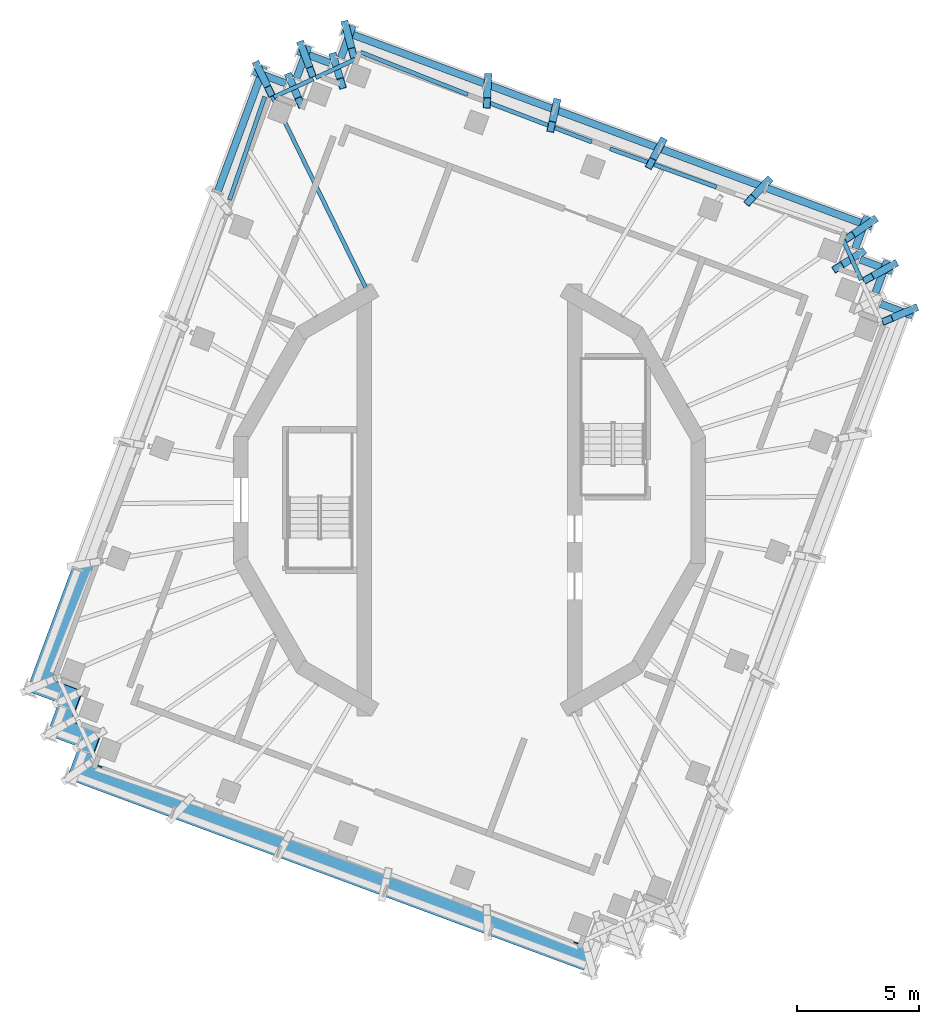
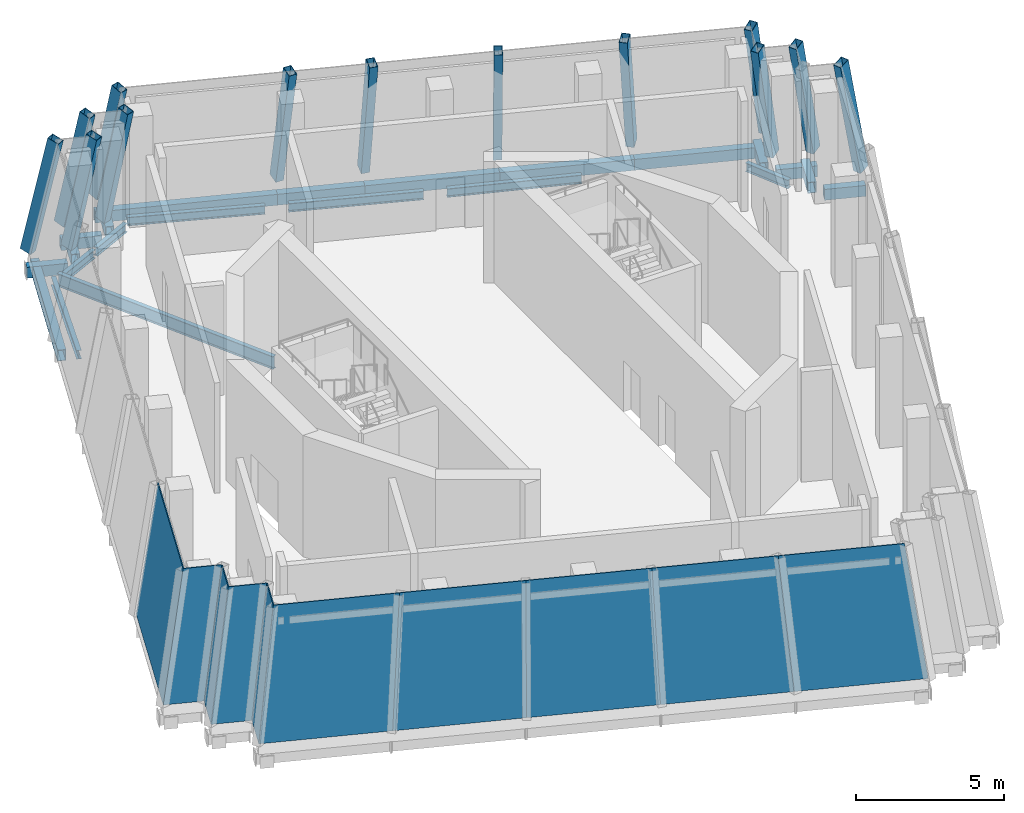
# One storey, part 3 of 13: 27 members, 10 plates, 8 beams, 24 elements without a shape of their own.
"""IFC4 building model written with IfcOpenShell, lengths in metres."""

from ifc_helpers import new_model, si_unit, direction, frame, origin, origin_2d, place, context, subcontext, project, spatial, polyline, hollow_rectangle, i_section, outline, extrude, material, layer, layer_set, material_profile, profile_set, type_object, element, aggregate, save


model = new_model("IFC4")

# Units and contexts
model_context = context("Model", 3, precision=1e-05, world=origin(), true_north=direction((0.0, 1.0)))
body_context = subcontext(model_context, "Body", "Model", "MODEL_VIEW")
ifc_project = project(units=[si_unit("LENGTHUNIT", "METRE"), si_unit("AREAUNIT", "SQUARE_METRE"), si_unit("VOLUMEUNIT", "CUBIC_METRE"), si_unit("PLANEANGLEUNIT", "RADIAN"), si_unit("MASSUNIT", "GRAM", prefix="KILO")], contexts=[model_context])

# Site, building, storey
site_placement = place(None, origin())
site = spatial("IfcSite", under=ifc_project, at=site_placement, CompositionType="ELEMENT")
building_placement = place(site_placement, origin())
building = spatial("IfcBuilding", under=site, at=building_placement, Name="Cantera Rosa Tower", CompositionType="ELEMENT")
storey_placement = place(building_placement, frame((0.0, 0.0, 350.699951171875)))
storey = spatial("IfcBuildingStorey", under=building, at=storey_placement, Name="L79", CompositionType="ELEMENT", Elevation=350.699951171875)

# Curtain wall, member
ifc_material_1 = material(Name="Aluminium frame with clear glass", Category="aluminium")
curtain_wall_type = type_object("IfcCurtainWallType", Name="CW4 CROWN GLAZING", PredefinedType="NOTDEFINED", material=ifc_material_1)
curtain_wall_1_placement = place(storey_placement, origin())
curtain_wall_1 = element("IfcCurtainWall", 1, at=curtain_wall_1_placement, inside=storey, type_object=curtain_wall_type, Name="CW4 L79-01", PredefinedType="NOTDEFINED")
ifc_material_2 = material(Name="Steel S355J2 (EN 10025-2)", Category="steel")
ifc_material_profile_1 = material_profile(ifc_material_2, hollow_rectangle(XDim=0.300048828125, YDim=0.449951171875, WallThickness=0.01611328125, at=origin_2d()), Name="CROWN FRAME MULLION RHS 300x450x16")
ifc_profile_set_1 = profile_set([ifc_material_profile_1], Name="Steel S355J2 (EN 10025-2)")
member_type_1 = type_object("IfcMemberType", Name="CROWN FRAME MULLION RHS 300x450x16", PredefinedType="MULLION", material=ifc_profile_set_1)
member_1_placement = place(storey_placement, frame((16.468505859375, 11.403076171875, 0.0), z_axis=(-0.183439123249, -0.127036590543, 0.974788075802), x_axis=(0.569331987511, -0.822107710703, 0.0)))
member_1 = element("IfcMember", 2, at=member_1_placement, type_object=member_type_1, Name="CROWN FRAME rib L79-01", PredefinedType="MULLION", context=body_context, shape_type="SweptSolid", body=[
    extrude(hollow_rectangle(XDim=0.300048828125, YDim=0.449951171875, WallThickness=0.01611328125, at=origin_2d()), origin(), (0.0, 0.0, 1.0), 5.12939453125),
])

curtain_wall_2_placement = place(storey_placement, origin())
curtain_wall_2 = element("IfcCurtainWall", 3, at=curtain_wall_2_placement, inside=storey, type_object=curtain_wall_type, Name="CW4 L79-02", PredefinedType="NOTDEFINED")
member_2_placement = place(storey_placement, frame((12.16259765625, 12.998779296875, 0.0), z_axis=(-0.136175371792, -0.145601425286, 0.979926779444), x_axis=(0.730352521861, -0.683070416437, 0.0)))
member_2 = element("IfcMember", 4, at=member_2_placement, type_object=member_type_1, Name="CROWN FRAME rib L79-02", PredefinedType="MULLION", context=body_context, shape_type="SweptSolid", body=[
    extrude(hollow_rectangle(XDim=0.300048828125, YDim=0.449951171875, WallThickness=0.01611328125, at=origin_2d()), origin(), (0.0, 0.0, 1.0), 5.1025390625),
])

curtain_wall_3_placement = place(storey_placement, origin())
curtain_wall_3 = element("IfcCurtainWall", 5, at=curtain_wall_3_placement, inside=storey, type_object=curtain_wall_type, Name="CW4 L79-03", PredefinedType="NOTDEFINED")
member_3_placement = place(storey_placement, frame((7.85693359375, 14.59423828125, 0.0), z_axis=(-0.088225909916, -0.163882386228, 0.982526718366), x_axis=(0.880512480257, -0.474022965806, 0.0)))
member_3 = element("IfcMember", 6, at=member_3_placement, type_object=member_type_1, Name="CROWN FRAME rib L79-03", PredefinedType="MULLION", context=body_context, shape_type="SweptSolid", body=[
    extrude(hollow_rectangle(XDim=0.300048828125, YDim=0.449951171875, WallThickness=0.01611328125, at=origin_2d()), origin(), (0.0, 0.0, 1.0), 5.0888671875),
])

curtain_wall_4_placement = place(storey_placement, origin())
curtain_wall_4 = element("IfcCurtainWall", 7, at=curtain_wall_4_placement, inside=storey, type_object=curtain_wall_type, Name="CW4 L79-04", PredefinedType="NOTDEFINED")
member_4_placement = place(storey_placement, frame((3.551025390625, 16.18994140625, 0.0), z_axis=(-0.039867351696, -0.18177785268, 0.98253112243), x_axis=(0.976783829743, -0.214227332414, 0.0)))
member_4 = element("IfcMember", 8, at=member_4_placement, type_object=member_type_1, Name="CROWN FRAME rib L79-04", PredefinedType="MULLION", context=body_context, shape_type="SweptSolid", body=[
    extrude(hollow_rectangle(XDim=0.300048828125, YDim=0.449951171875, WallThickness=0.01611328125, at=origin_2d()), origin(), (0.0, 0.0, 1.0), 5.0888671875),
])

curtain_wall_5_placement = place(storey_placement, origin())
curtain_wall_5 = element("IfcCurtainWall", 9, at=curtain_wall_5_placement, inside=storey, type_object=curtain_wall_type, Name="CW4 L79-05", PredefinedType="NOTDEFINED")
member_5_placement = place(storey_placement, frame((0.7587890625, 17.224609375, 0.0), z_axis=(-0.008479576424, -0.193113969293, 0.981139690181), x_axis=(0.999037360928, -0.043867430634, 0.0)))
member_5 = element("IfcMember", 10, at=member_5_placement, type_object=member_type_1, Name="CROWN FRAME rib L79-05", PredefinedType="MULLION", context=body_context, shape_type="SweptSolid", body=[
    extrude(hollow_rectangle(XDim=0.300048828125, YDim=0.449951171875, WallThickness=0.01611328125, at=origin_2d()), origin(), (0.0, 0.0, 1.0), 5.09619140625),
])

curtain_wall_6_placement = place(storey_placement, origin())
curtain_wall_6 = element("IfcCurtainWall", 11, at=curtain_wall_6_placement, inside=storey, type_object=curtain_wall_type, Name="CW4 L79-06", PredefinedType="NOTDEFINED")
member_6_placement = place(storey_placement, frame((-5.060791015625, 19.381103515625, 0.0), z_axis=(0.056402363783, -0.215899681115, 0.974785156357), x_axis=(0.967528872957, 0.252760519059, 0.0)))
member_6 = element("IfcMember", 12, at=member_6_placement, type_object=member_type_1, Name="CROWN FRAME rib L79-06", PredefinedType="MULLION", context=body_context, shape_type="SweptSolid", body=[
    extrude(hollow_rectangle(XDim=0.300048828125, YDim=0.449951171875, WallThickness=0.01611328125, at=origin_2d()), origin(), (0.0, 0.0, 1.0), 5.12939453125),
])

curtain_wall_7_placement = place(storey_placement, origin())
curtain_wall_7 = element("IfcCurtainWall", 13, at=curtain_wall_7_placement, inside=storey, type_object=curtain_wall_type, Name="CW4 L79-07", PredefinedType="NOTDEFINED")
member_7_placement = place(storey_placement, frame((-5.547119140625, 18.068359375, 0.0), z_axis=(0.061950185044, -0.201839239252, 0.977457465096), x_axis=(0.955984057703, 0.293418611232, 0.0)))
member_7 = element("IfcMember", 14, at=member_7_placement, type_object=member_type_1, Name="CROWN FRAME rib L79-07", PredefinedType="MULLION", context=body_context, shape_type="SweptSolid", body=[
    extrude(hollow_rectangle(XDim=0.300048828125, YDim=0.449951171875, WallThickness=0.01611328125, at=origin_2d()), origin(), (0.0, 0.0, 1.0), 5.115234375),
])

curtain_wall_8_placement = place(storey_placement, origin())
curtain_wall_8 = element("IfcCurtainWall", 15, at=curtain_wall_8_placement, inside=storey, type_object=curtain_wall_type, Name="CW4 L79-08", PredefinedType="NOTDEFINED")
member_8_placement = place(storey_placement, frame((-6.85986328125, 18.554931640625, 0.0), z_axis=(0.076440005871, -0.206840464485, 0.975384000153), x_axis=(0.937996025489, 0.34664600988, 0.0)))
member_8 = element("IfcMember", 16, at=member_8_placement, type_object=member_type_1, Name="CROWN FRAME rib L79-08", PredefinedType="MULLION", context=body_context, shape_type="SweptSolid", body=[
    extrude(hollow_rectangle(XDim=0.300048828125, YDim=0.449951171875, WallThickness=0.01611328125, at=origin_2d()), origin(), (0.0, 0.0, 1.0), 5.126220703125),
])

curtain_wall_9_placement = place(storey_placement, origin())
curtain_wall_9 = element("IfcCurtainWall", 17, at=curtain_wall_9_placement, inside=storey, type_object=curtain_wall_type, Name="CW4 L79-09", PredefinedType="NOTDEFINED")
member_9_placement = place(storey_placement, frame((-7.346435546875, 17.2421875, 0.0), z_axis=(0.082073811804, -0.192699188158, 0.977819468153), x_axis=(0.920027022775, 0.391854918769, 0.0)))
member_9 = element("IfcMember", 18, at=member_9_placement, type_object=member_type_1, Name="CROWN FRAME rib L79-09", PredefinedType="MULLION", context=body_context, shape_type="SweptSolid", body=[
    extrude(hollow_rectangle(XDim=0.300048828125, YDim=0.449951171875, WallThickness=0.01611328125, at=origin_2d()), origin(), (0.0, 0.0, 1.0), 5.113525390625),
])

curtain_wall_10_placement = place(storey_placement, origin())
curtain_wall_10 = element("IfcCurtainWall", 19, at=curtain_wall_10_placement, inside=storey, type_object=curtain_wall_type, Name="CW4 L79-10", PredefinedType="NOTDEFINED")
member_10_placement = place(storey_placement, frame((-8.6591796875, 17.728759765625, 0.0), z_axis=(0.096549906813, -0.197672478181, 0.975501771841), x_axis=(0.898545674073, 0.438880019601, 0.0)))
member_10 = element("IfcMember", 20, at=member_10_placement, type_object=member_type_1, Name="CROWN FRAME rib L79-10", PredefinedType="MULLION", context=body_context, shape_type="SweptSolid", body=[
    extrude(hollow_rectangle(XDim=0.300048828125, YDim=0.449951171875, WallThickness=0.01611328125, at=origin_2d()), origin(), (0.0, 0.0, 1.0), 5.12548828125),
])

curtain_wall_11_placement = place(storey_placement, origin())
curtain_wall_11 = element("IfcCurtainWall", 21, at=curtain_wall_11_placement, inside=storey, type_object=curtain_wall_type, Name="CW4 L79-33", PredefinedType="NOTDEFINED")
member_11_placement = place(storey_placement, frame((18.12109375, 7.8046875, 0.0), z_axis=(-0.202008637427, -0.087024234987, 0.975509760551), x_axis=(0.395643566928, -0.918404141949, 0.0)))
member_11 = element("IfcMember", 22, at=member_11_placement, type_object=member_type_1, Name="CROWN FRAME rib L79-33", PredefinedType="MULLION", context=body_context, shape_type="SweptSolid", body=[
    extrude(hollow_rectangle(XDim=0.300048828125, YDim=0.449951171875, WallThickness=0.01611328125, at=origin_2d()), origin(), (0.0, 0.0, 1.0), 5.12548828125),
])

curtain_wall_12_placement = place(storey_placement, origin())
curtain_wall_12 = element("IfcCurtainWall", 23, at=curtain_wall_12_placement, inside=storey, type_object=curtain_wall_type, Name="CW4 L79-35", PredefinedType="NOTDEFINED")
member_12_placement = place(storey_placement, frame((17.294921875, 9.603759765625, 0.0), z_axis=(-0.192790277185, -0.107063375275, 0.975381639512), x_axis=(0.485496229045, -0.874238761199, 0.0)))
member_12 = element("IfcMember", 24, at=member_12_placement, type_object=member_type_1, Name="CROWN FRAME rib L79-35", PredefinedType="MULLION", context=body_context, shape_type="SweptSolid", body=[
    extrude(hollow_rectangle(XDim=0.300048828125, YDim=0.449951171875, WallThickness=0.01611328125, at=origin_2d()), origin(), (0.0, 0.0, 1.0), 5.126220703125),
])

curtain_wall_13_placement = place(storey_placement, origin())
curtain_wall_13 = element("IfcCurtainWall", 25, at=curtain_wall_13_placement, inside=storey, type_object=curtain_wall_type, Name="CW4 L79-36", PredefinedType="NOTDEFINED")
member_13_placement = place(storey_placement, frame((15.982177734375, 10.09033203125, 0.0), z_axis=(-0.178547268213, -0.11273152834, 0.977452032343), x_axis=(0.533873930699, -0.84556408753, 0.0)))
member_13 = element("IfcMember", 26, at=member_13_placement, type_object=member_type_1, Name="CROWN FRAME rib L79-36", PredefinedType="MULLION", context=body_context, shape_type="SweptSolid", body=[
    extrude(hollow_rectangle(XDim=0.300048828125, YDim=0.449951171875, WallThickness=0.01611328125, at=origin_2d()), origin(), (0.0, 0.0, 1.0), 5.115234375),
])

# Member
ifc_material_3 = material(Name="Steel S355J2 (EN 10025-2)", Category="steel")
ifc_material_profile_2 = material_profile(ifc_material_3, hollow_rectangle(XDim=0.300048828125, YDim=0.449951171875, WallThickness=0.01611328125, at=origin_2d()), Name="CROWN FRAME PURLIN RHS 300x450x16")
ifc_profile_set_2 = profile_set([ifc_material_profile_2], Name="Steel S355J2 (EN 10025-2)")
member_type_2 = type_object("IfcMemberType", Name="CROWN FRAME PURLIN RHS 300x450x16", PredefinedType="PURLIN", material=ifc_profile_set_2)
member_14_placement = place(storey_placement, frame((16.4638671875, 11.16015625, -0.675048828125), z_axis=(-0.937693339499, 0.347463956489, 0.0), x_axis=(-0.347463956489, -0.937693339499, 0.0)))
member_14 = element("IfcMember", 27, at=member_14_placement, type_object=member_type_2, Name="CROWN FRAME purlin L79-01", PredefinedType="PURLIN", context=body_context, shape_type="SweptSolid", body=[
    extrude(hollow_rectangle(XDim=0.300048828125, YDim=0.449951171875, WallThickness=0.01611328125, at=origin_2d()), origin(), (0.0, 0.0, 1.0), 4.6240234375),
])

aggregate(curtain_wall_1, [member_1, member_14])

member_15_placement = place(storey_placement, frame((12.1279296875, 12.766845703125, -0.675048828125), z_axis=(-0.937686964654, 0.347481159659, 0.0), x_axis=(-0.347481159659, -0.937686964654, 0.0)))
member_15 = element("IfcMember", 28, at=member_15_placement, type_object=member_type_2, Name="CROWN FRAME purlin L79-02", PredefinedType="PURLIN", context=body_context, shape_type="SweptSolid", body=[
    extrude(hollow_rectangle(XDim=0.300048828125, YDim=0.449951171875, WallThickness=0.01611328125, at=origin_2d()), origin(), (0.0, 0.0, 1.0), 4.623779296875),
])

aggregate(curtain_wall_2, [member_2, member_15])

member_16_placement = place(storey_placement, frame((7.792236328125, 14.37353515625, -0.675048828125), z_axis=(-0.937693339499, 0.347463956489, 0.0), x_axis=(-0.347463956489, -0.937693339499, 0.0)))
member_16 = element("IfcMember", 29, at=member_16_placement, type_object=member_type_2, Name="CROWN FRAME purlin L79-03", PredefinedType="PURLIN", context=body_context, shape_type="SweptSolid", body=[
    extrude(hollow_rectangle(XDim=0.300048828125, YDim=0.449951171875, WallThickness=0.01611328125, at=origin_2d()), origin(), (0.0, 0.0, 1.0), 4.6240234375),
])

aggregate(curtain_wall_3, [member_3, member_16])

member_17_placement = place(storey_placement, frame((3.456298828125, 15.980224609375, -0.675048828125), z_axis=(-0.937683924768, 0.34748936276, 0.0), x_axis=(-0.34748936276, -0.937683924768, 0.0)))
member_17 = element("IfcMember", 30, at=member_17_placement, type_object=member_type_2, Name="CROWN FRAME purlin L79-04", PredefinedType="PURLIN", context=body_context, shape_type="SweptSolid", body=[
    extrude(hollow_rectangle(XDim=0.300048828125, YDim=0.449951171875, WallThickness=0.01611328125, at=origin_2d()), origin(), (0.0, 0.0, 1.0), 2.99853515625),
])

aggregate(curtain_wall_4, [member_4, member_17])

member_18_placement = place(storey_placement, frame((0.64453125, 17.022216796875, -0.675048828125), z_axis=(-0.937685128351, 0.347486114931, 0.0), x_axis=(-0.347486114931, -0.937685128351, 0.0)))
member_18 = element("IfcMember", 31, at=member_18_placement, type_object=member_type_2, Name="CROWN FRAME purlin L79-05", PredefinedType="PURLIN", context=body_context, shape_type="SweptSolid", body=[
    extrude(hollow_rectangle(XDim=0.300048828125, YDim=0.449951171875, WallThickness=0.01611328125, at=origin_2d()), origin(), (0.0, 0.0, 1.0), 6.24951171875),
])

aggregate(curtain_wall_5, [member_5, member_18])

member_19_placement = place(storey_placement, frame((-4.771728515625, 19.400146484375, -0.675048828125), z_axis=(-0.34747787662, -0.937688181252, 0.0), x_axis=(0.937688181252, -0.34747787662, 0.0)))
member_19 = element("IfcMember", 32, at=member_19_placement, type_object=member_type_2, Name="CROWN FRAME purlin L79-06", PredefinedType="PURLIN", context=body_context, shape_type="SweptSolid", body=[
    extrude(hollow_rectangle(XDim=0.300048828125, YDim=0.449951171875, WallThickness=0.01611328125, at=origin_2d()), origin(), (0.0, 0.0, 1.0), 1.41015625),
])

aggregate(curtain_wall_6, [member_6, member_19])

member_20_placement = place(storey_placement, frame((-5.7060546875, 17.8720703125, -0.675048828125), z_axis=(-0.937667271934, 0.347534296357, 0.0), x_axis=(-0.347534296357, -0.937667271934, 0.0)))
member_20 = element("IfcMember", 33, at=member_20_placement, type_object=member_type_2, Name="CROWN FRAME purlin L79-07", PredefinedType="PURLIN", context=body_context, shape_type="SweptSolid", body=[
    extrude(hollow_rectangle(XDim=0.300048828125, YDim=0.449951171875, WallThickness=0.01611328125, at=origin_2d()), origin(), (0.0, 0.0, 1.0), 1.409912109375),
])

aggregate(curtain_wall_7, [member_7, member_20])

member_21_placement = place(storey_placement, frame((-6.584228515625, 18.56689453125, -0.675048828125), z_axis=(-0.347534296357, -0.937667271934, 0.0), x_axis=(0.937667271934, -0.347534296357, 0.0)))
member_21 = element("IfcMember", 34, at=member_21_placement, type_object=member_type_2, Name="CROWN FRAME purlin L79-08", PredefinedType="PURLIN", context=body_context, shape_type="SweptSolid", body=[
    extrude(hollow_rectangle(XDim=0.300048828125, YDim=0.449951171875, WallThickness=0.01611328125, at=origin_2d()), origin(), (0.0, 0.0, 1.0), 1.409912109375),
])

aggregate(curtain_wall_8, [member_8, member_21])

member_22_placement = place(storey_placement, frame((-7.518798828125, 17.040283203125, -0.675048828125), z_axis=(-0.937667271934, 0.347534296357, 0.0), x_axis=(-0.347534296357, -0.937667271934, 0.0)))
member_22 = element("IfcMember", 35, at=member_22_placement, type_object=member_type_2, Name="CROWN FRAME purlin L79-09", PredefinedType="PURLIN", context=body_context, shape_type="SweptSolid", body=[
    extrude(hollow_rectangle(XDim=0.300048828125, YDim=0.449951171875, WallThickness=0.01611328125, at=origin_2d()), origin(), (0.0, 0.0, 1.0), 1.409912109375),
])

aggregate(curtain_wall_9, [member_9, member_22])

member_23_placement = place(storey_placement, frame((-8.396484375, 17.73388671875, -0.675048828125), z_axis=(-0.347491231941, -0.93768323208, 0.0), x_axis=(0.93768323208, -0.347491231941, 0.0)))
member_23 = element("IfcMember", 36, at=member_23_placement, type_object=member_type_2, Name="CROWN FRAME purlin L79-10", PredefinedType="PURLIN", context=body_context, shape_type="SweptSolid", body=[
    extrude(hollow_rectangle(XDim=0.300048828125, YDim=0.449951171875, WallThickness=0.01611328125, at=origin_2d()), origin(), (0.0, 0.0, 1.0), 5.484375),
])

aggregate(curtain_wall_10, [member_10, member_23])

member_24_placement = place(storey_placement, frame((18.129638671875, 7.53564453125, -0.675048828125), z_axis=(-0.937667271934, 0.347534296357, 0.0), x_axis=(-0.347534296357, -0.937667271934, 0.0)))
member_24 = element("IfcMember", 37, at=member_24_placement, type_object=member_type_2, Name="CROWN FRAME purlin L79-33", PredefinedType="PURLIN", context=body_context, shape_type="SweptSolid", body=[
    extrude(hollow_rectangle(XDim=0.300048828125, YDim=0.449951171875, WallThickness=0.01611328125, at=origin_2d()), origin(), (0.0, 0.0, 1.0), 1.409912109375),
])

aggregate(curtain_wall_11, [member_11, member_24])

# Curtain wall, member
curtain_wall_14_placement = place(storey_placement, origin())
curtain_wall_14 = element("IfcCurtainWall", 38, at=curtain_wall_14_placement, inside=storey, type_object=curtain_wall_type, Name="CW4 L79-34", PredefinedType="NOTDEFINED")
member_25_placement = place(storey_placement, frame((16.603515625, 8.470458984375, -0.675048828125), z_axis=(0.34747787662, 0.937688181252, 0.0), x_axis=(-0.937688181252, 0.34747787662, 0.0)))
member_25 = element("IfcMember", 39, at=member_25_placement, type_object=member_type_2, Name="CROWN FRAME purlin L79-34", PredefinedType="PURLIN", context=body_context, shape_type="SweptSolid", body=[
    extrude(hollow_rectangle(XDim=0.300048828125, YDim=0.449951171875, WallThickness=0.01611328125, at=origin_2d()), origin(), (0.0, 0.0, 1.0), 1.41015625),
])
aggregate(curtain_wall_14, [member_25])

# Member
member_26_placement = place(storey_placement, frame((17.296630859375, 9.347900390625, -0.675048828125), z_axis=(-0.937667271934, 0.347534296357, 0.0), x_axis=(-0.347534296357, -0.937667271934, 0.0)))
member_26 = element("IfcMember", 40, at=member_26_placement, type_object=member_type_2, Name="CROWN FRAME purlin L79-35", PredefinedType="PURLIN", context=body_context, shape_type="SweptSolid", body=[
    extrude(hollow_rectangle(XDim=0.300048828125, YDim=0.449951171875, WallThickness=0.01611328125, at=origin_2d()), origin(), (0.0, 0.0, 1.0), 1.409912109375),
])

aggregate(curtain_wall_12, [member_12, member_26])

member_27_placement = place(storey_placement, frame((15.771728515625, 10.283447265625, -0.675048828125), z_axis=(0.34747787662, 0.937688181252, 0.0), x_axis=(-0.937688181252, 0.34747787662, 0.0)))
member_27 = element("IfcMember", 41, at=member_27_placement, type_object=member_type_2, Name="CROWN FRAME purlin L79-36", PredefinedType="PURLIN", context=body_context, shape_type="SweptSolid", body=[
    extrude(hollow_rectangle(XDim=0.300048828125, YDim=0.449951171875, WallThickness=0.01611328125, at=origin_2d()), origin(), (0.0, 0.0, 1.0), 1.41015625),
])

aggregate(curtain_wall_13, [member_13, member_27])

# Beams
ifc_material_4 = material(Name="Steel ASTM A992 (Fy 345 MPa)", Category="steel")
ifc_material_profile_3 = material_profile(ifc_material_4, i_section(OverallWidth=0.166015625, OverallDepth=0.528076171875, WebThickness=0.009765625, FlangeThickness=0.013671875, FilletRadius=0.0126953125, at=origin_2d()), Name="W530X74")
ifc_profile_set_3 = profile_set([ifc_material_profile_3], Name="Steel ASTM A992 (Fy 345 MPa)")
beam_type_1 = type_object("IfcBeamType", Name="STEEL BEAM W530X74", PredefinedType="BEAM", material=ifc_profile_set_3)
beam_1_placement = place(storey_placement, frame((-8.110595703125, 16.60546875, -0.7138671875), z_axis=(0.43886916796, -0.898550974299, 0.0), x_axis=(0.898550974299, 0.43886916796, 0.0)))
element("IfcBeam", 42, at=beam_1_placement, inside=storey, type_object=beam_type_1, Name="CG-Z6-03 L79", PredefinedType="BEAM", context=body_context, shape_type="SweptSolid", body=[
    extrude(i_section(OverallWidth=0.166015625, OverallDepth=0.528076171875, WebThickness=0.009765625, FlangeThickness=0.013671875, FilletRadius=0.0126953125, at=origin_2d()), origin(), (0.0, 0.0, 1.0), 8.7978515625),
])
ifc_material_5 = material(Name="Steel ASTM A992 (Fy 345 MPa)", Category="steel")
ifc_material_profile_4 = material_profile(ifc_material_5, i_section(OverallWidth=0.1708984375, OverallDepth=0.35595703125, WebThickness=0.00732421875, FlangeThickness=0.01171875, FilletRadius=0.010009765625, at=origin_2d()), Name="W360X51")
ifc_profile_set_4 = profile_set([ifc_material_profile_4], Name="Steel ASTM A992 (Fy 345 MPa)")
beam_type_2 = type_object("IfcBeamType", Name="STEEL SPANDREL BEAM W360X51", PredefinedType="SPANDREL", material=ifc_profile_set_4)
beam_2_placement = place(storey_placement, frame((10.104248046875, 12.801025390625, -0.6279296875), z_axis=(-0.941059495406, 0.338241076906, 0.0), x_axis=(-0.338241076906, -0.941059495406, 0.0)))
element("IfcBeam", 43, at=beam_2_placement, inside=storey, type_object=beam_type_2, Name="CEB-Z6-02 L79", PredefinedType="SPANDREL", context=body_context, shape_type="SweptSolid", body=[
    extrude(i_section(OverallWidth=0.1708984375, OverallDepth=0.35595703125, WebThickness=0.00732421875, FlangeThickness=0.01171875, FilletRadius=0.010009765625, at=origin_2d()), origin(), (0.0, 0.0, 1.0), 4.626708984375),
])
beam_3_placement = place(storey_placement, frame((5.0, 14.64404296875, -0.6279296875), z_axis=(-0.934230854796, 0.356668908019, 0.0), x_axis=(-0.356668908019, -0.934230854796, 0.0)))
element("IfcBeam", 44, at=beam_3_placement, inside=storey, type_object=beam_type_2, Name="CEB-Z6-03 L79", PredefinedType="SPANDREL", context=body_context, shape_type="SweptSolid", body=[
    extrude(i_section(OverallWidth=0.1708984375, OverallDepth=0.35595703125, WebThickness=0.00732421875, FlangeThickness=0.01171875, FilletRadius=0.010009765625, at=origin_2d()), origin(), (0.0, 0.0, 1.0), 4.62646484375),
])
beam_4_placement = place(storey_placement, frame((-0.068115234375, 16.583984375, -0.6279296875), z_axis=(-0.930027059107, 0.367491046596, 0.0), x_axis=(-0.367491046596, -0.930027059107, 0.0)))
element("IfcBeam", 45, at=beam_4_placement, inside=storey, type_object=beam_type_2, Name="CEB-Z6-04 L79", PredefinedType="SPANDREL", context=body_context, shape_type="SweptSolid", body=[
    extrude(i_section(OverallWidth=0.1708984375, OverallDepth=0.35595703125, WebThickness=0.00732421875, FlangeThickness=0.01171875, FilletRadius=0.010009765625, at=origin_2d()), origin(), (0.0, 0.0, 1.0), 4.710205078125),
])
beam_5_placement = place(storey_placement, frame((-4.6787109375, 18.020751953125, -0.6279296875), z_axis=(-0.90614800824, -0.422960739506, 0.0), x_axis=(0.422960739506, -0.90614800824, 0.0)))
element("IfcBeam", 46, at=beam_5_placement, inside=storey, type_object=beam_type_2, Name="CEB-Z6-05 L79", PredefinedType="SPANDREL", context=body_context, shape_type="SweptSolid", body=[
    extrude(i_section(OverallWidth=0.1708984375, OverallDepth=0.35595703125, WebThickness=0.00732421875, FlangeThickness=0.01171875, FilletRadius=0.010009765625, at=origin_2d()), origin(), (0.0, 0.0, 1.0), 1.775634765625),
])
beam_6_placement = place(storey_placement, frame((-6.388916015625, 17.22265625, -0.6279296875), z_axis=(-0.908209043857, -0.418516824818, 0.0), x_axis=(0.418516824818, -0.908209043857, 0.0)))
element("IfcBeam", 47, at=beam_6_placement, inside=storey, type_object=beam_type_2, Name="CEB-Z6-06 L79", PredefinedType="SPANDREL", context=body_context, shape_type="SweptSolid", body=[
    extrude(i_section(OverallWidth=0.1708984375, OverallDepth=0.35595703125, WebThickness=0.00732421875, FlangeThickness=0.01171875, FilletRadius=0.010009765625, at=origin_2d()), origin(), (0.0, 0.0, 1.0), 1.7734375),
])
beam_7_placement = place(storey_placement, frame((-8.37158203125, 16.496337890625, -0.6279296875), z_axis=(-0.322914460414, -0.946428154302, 0.0), x_axis=(0.946428154302, -0.322914460414, 0.0)))
element("IfcBeam", 48, at=beam_7_placement, inside=storey, type_object=beam_type_2, Name="CEB-Z6-07 L79", PredefinedType="SPANDREL", context=body_context, shape_type="SweptSolid", body=[
    extrude(i_section(OverallWidth=0.1708984375, OverallDepth=0.35595703125, WebThickness=0.00732421875, FlangeThickness=0.01171875, FilletRadius=0.010009765625, at=origin_2d()), origin(), (0.0, 0.0, 1.0), 4.463623046875),
])
beam_8_placement = place(storey_placement, frame((16.02294921875, 9.001953125, -0.6279296875), z_axis=(-0.411553563989, 0.911385573711, 0.0), x_axis=(-0.911385573711, -0.411553563989, 0.0)))
element("IfcBeam", 49, at=beam_8_placement, inside=storey, type_object=beam_type_2, Name="CEB-Z6-26 L79", PredefinedType="SPANDREL", context=body_context, shape_type="SweptSolid", body=[
    extrude(i_section(OverallWidth=0.1708984375, OverallDepth=0.35595703125, WebThickness=0.00732421875, FlangeThickness=0.01171875, FilletRadius=0.010009765625, at=origin_2d()), origin(), (0.0, 0.0, 1.0), 1.775390625),
])

# Curtain wall, plate
curtain_wall_15_placement = place(storey_placement, origin())
curtain_wall_15 = element("IfcCurtainWall", 50, at=curtain_wall_15_placement, inside=storey, type_object=curtain_wall_type, Name="CW4 L79-14", PredefinedType="NOTDEFINED")
ifc_material_6 = material(Name="Aluminium frame with clear glass", Category="aluminium")
ifc_layer = layer(ifc_material_6, 0.0400390625)
ifc_layer_set = layer_set([ifc_layer], Name="CW-PANEL CROWN 40")
plate_type = type_object("IfcPlateType", Name="CW-PANEL CROWN 40", PredefinedType="CURTAIN_PANEL", material=ifc_layer_set)
plate_1_placement = place(storey_placement, frame((-16.228759765625, -2.697998046875, 0.0), z_axis=(-0.925442066759, 0.342950306981, 0.161065415329), x_axis=(-0.347486761525, -0.937684888732, 2.816771e-06)))
plate_1 = element("IfcPlate", 51, at=plate_1_placement, type_object=plate_type, Name="CROWN GLAZING L79-14", PredefinedType="CURTAIN_PANEL", context=body_context, shape_type="SweptSolid", body=[
    extrude(outline(polyline([(0.0, 0.0), (5.44602653959817, 0.0), (4.668003111894595, 5.066131618711678), (-0.46695834210075104, 5.066161817211055), (0.0, 0.0)])), origin(), (0.0, 0.0, -1.0), 0.0400390625),
])
aggregate(curtain_wall_15, [plate_1])

curtain_wall_16_placement = place(storey_placement, origin())
curtain_wall_16 = element("IfcCurtainWall", 52, at=curtain_wall_16_placement, inside=storey, type_object=curtain_wall_type, Name="CW4 L79-15", PredefinedType="NOTDEFINED")
plate_2_placement = place(storey_placement, frame((-18.12109375, -7.8046875, 0.0), z_axis=(-0.343321305783, -0.926550679803, 0.153734572402), x_axis=(0.937698369538, -0.347450381606, 9.375808e-06)))
plate_2 = element("IfcPlate", 53, at=plate_2_placement, type_object=plate_type, Name="CROWN GLAZING L79-15", PredefinedType="CURTAIN_PANEL", context=body_context, shape_type="SweptSolid", body=[
    extrude(outline(polyline([(0.0, 0.0), (1.399932932901407, 0.0), (2.136027576945504, 5.06013393208069), (0.8159616588315967, 5.06015974108173), (0.0, 0.0)])), origin(), (0.0, 0.0, -1.0), 0.0400390625),
])
aggregate(curtain_wall_16, [plate_2])

curtain_wall_17_placement = place(storey_placement, origin())
curtain_wall_17 = element("IfcCurtainWall", 54, at=curtain_wall_17_placement, inside=storey, type_object=curtain_wall_type, Name="CW4 L79-16", PredefinedType="NOTDEFINED")
plate_3_placement = place(storey_placement, frame((-16.808349609375, -8.291015625, 0.0), z_axis=(-0.927663084565, 0.343855204235, 0.145618680314), x_axis=(-0.347559648657, -0.937657875038, 1.952908e-06)))
plate_3 = element("IfcPlate", 55, at=plate_3_placement, type_object=plate_type, Name="CROWN GLAZING L79-16", PredefinedType="CURTAIN_PANEL", context=body_context, shape_type="SweptSolid", body=[
    extrude(outline(polyline([(0.0, 0.0), (1.4000177670544702, -1.3877787807814457e-17), (0.5419278341201468, 5.053869191672536), (-0.7779091650000611, 5.053874560525867), (0.0, 0.0)])), origin(), (0.0, 0.0, -1.0), 0.0400390625),
])
aggregate(curtain_wall_17, [plate_3])

curtain_wall_18_placement = place(storey_placement, origin())
curtain_wall_18 = element("IfcCurtainWall", 56, at=curtain_wall_18_placement, inside=storey, type_object=curtain_wall_type, Name="CW4 L79-17", PredefinedType="NOTDEFINED")
plate_4_placement = place(storey_placement, frame((-17.294921875, -9.603759765625, 0.0), z_axis=(-0.342523016044, -0.924157528051, 0.16914741153), x_axis=(0.937668441477, -0.347531140835, -2.940696e-06)))
plate_4 = element("IfcPlate", 57, at=plate_4_placement, type_object=plate_type, Name="CROWN GLAZING L79-17", PredefinedType="CURTAIN_PANEL", context=body_context, shape_type="SweptSolid", body=[
    extrude(outline(polyline([(0.0, 0.0), (1.400017766968793, 0.0), (2.0559964924200957, 5.07310562462255), (0.7359305715422514, 5.073097508738586), (0.0, 0.0)])), origin(), (0.0, 0.0, -1.0), 0.0400390625),
])
aggregate(curtain_wall_18, [plate_4])

curtain_wall_19_placement = place(storey_placement, origin())
curtain_wall_19 = element("IfcCurtainWall", 58, at=curtain_wall_19_placement, inside=storey, type_object=curtain_wall_type, Name="CW4 L79-18", PredefinedType="NOTDEFINED")
plate_5_placement = place(storey_placement, frame((-15.982177734375, -10.09033203125, 0.0), z_axis=(-0.92973056563, 0.344499571126, 0.130081208585), x_axis=(-0.347450770139, -0.937698225586, 7.960488e-06)))
plate_5 = element("IfcPlate", 59, at=plate_5_placement, type_object=plate_type, Name="CROWN GLAZING L79-18", PredefinedType="CURTAIN_PANEL", context=body_context, shape_type="SweptSolid", body=[
    extrude(outline(polyline([(0.0, 0.0), (1.3999329328835064, 0.0), (0.46203527628787167, 5.042843634822559), (-0.8580306418787165, 5.042865472890568), (0.0, 0.0)])), origin(), (0.0, 0.0, -1.0), 0.0400390625),
])
aggregate(curtain_wall_19, [plate_5])

curtain_wall_20_placement = place(storey_placement, origin())
curtain_wall_20 = element("IfcCurtainWall", 60, at=curtain_wall_20_placement, inside=storey, type_object=curtain_wall_type, Name="CW4 L79-19", PredefinedType="NOTDEFINED")
plate_6_placement = place(storey_placement, frame((-16.468505859375, -11.403076171875, 0.0), z_axis=(-0.341522224821, -0.921609746079, 0.184385590232), x_axis=(0.937687211594, -0.347480493278, -2.096087e-06)))
plate_6 = element("IfcPlate", 61, at=plate_6_placement, type_object=plate_type, Name="CROWN GLAZING L79-19", PredefinedType="CURTAIN_PANEL", context=body_context, shape_type="SweptSolid", body=[
    extrude(outline(polyline([(0.0, 0.0), (4.592070765368151, 0.0), (4.985437888242863, 5.087236283995121), (0.6558540402996874, 5.087217257200142), (0.0, 0.0)])), origin(), (0.0, 0.0, -1.0), 0.0400390625),
])
aggregate(curtain_wall_20, [plate_6])

curtain_wall_21_placement = place(storey_placement, origin())
curtain_wall_21 = element("IfcCurtainWall", 62, at=curtain_wall_21_placement, inside=storey, type_object=curtain_wall_type, Name="CW4 L79-20", PredefinedType="NOTDEFINED")
plate_7_placement = place(storey_placement, frame((-12.16259765625, -12.998779296875, 0.0), z_axis=(-0.341506968707, -0.921614261854, 0.184391276018), x_axis=(0.937693003725, -0.347464862634, 6.63717e-07)))
plate_7 = element("IfcPlate", 63, at=plate_7_placement, type_object=plate_type, Name="CROWN GLAZING L79-20", PredefinedType="CURTAIN_PANEL", context=body_context, shape_type="SweptSolid", body=[
    extrude(outline(polyline([(0.0, 0.0), (4.591757004639263, 0.0), (4.722980406988993, 5.0872279834906315), (0.39339655872504253, 5.087234008043115), (0.0, 0.0)])), origin(), (0.0, 0.0, -1.0), 0.0400390625),
])
aggregate(curtain_wall_21, [plate_7])

curtain_wall_22_placement = place(storey_placement, origin())
curtain_wall_22 = element("IfcCurtainWall", 64, at=curtain_wall_22_placement, inside=storey, type_object=curtain_wall_type, Name="CW4 L79-21", PredefinedType="NOTDEFINED")
plate_8_placement = place(storey_placement, frame((-7.85693359375, -14.59423828125, 0.0), z_axis=(-0.341546443509, -0.921602522504, 0.18437683542), x_axis=(0.937678598238, -0.347503735807, 2.553921e-06)))
plate_8 = element("IfcPlate", 65, at=plate_8_placement, type_object=plate_type, Name="CROWN GLAZING L79-21", PredefinedType="CURTAIN_PANEL", context=body_context, shape_type="SweptSolid", body=[
    extrude(outline(polyline([(0.0, 0.0), (4.592070765224333, 1.1102230246251565e-16), (4.460862651078163, 5.087205559465082), (0.1311939660491304, 5.087228742334468), (0.0, 0.0)])), origin(), (0.0, 0.0, -1.0), 0.0400390625),
])
aggregate(curtain_wall_22, [plate_8])

curtain_wall_23_placement = place(storey_placement, origin())
curtain_wall_23 = element("IfcCurtainWall", 66, at=curtain_wall_23_placement, inside=storey, type_object=curtain_wall_type, Name="CW4 L79-22", PredefinedType="NOTDEFINED")
plate_9_placement = place(storey_placement, frame((-3.551025390625, -16.18994140625, 0.0), z_axis=(-0.341522897476, -0.921611561263, 0.184375271243), x_axis=(0.937687211609, -0.347480493237, -2.095973e-06)))
plate_9 = element("IfcPlate", 67, at=plate_9_placement, type_object=plate_type, Name="CROWN GLAZING L79-22", PredefinedType="CURTAIN_PANEL", context=body_context, shape_type="SweptSolid", body=[
    extrude(outline(polyline([(0.0, 0.0), (4.59207076536815, 0.0), (4.198375732326609, 5.087224585287137), (-0.13120811561656975, 5.087205559556978), (0.0, 0.0)])), origin(), (0.0, 0.0, -1.0), 0.0400390625),
])
aggregate(curtain_wall_23, [plate_9])

curtain_wall_24_placement = place(storey_placement, origin())
curtain_wall_24 = element("IfcCurtainWall", 68, at=curtain_wall_24_placement, inside=storey, type_object=curtain_wall_type, Name="CW4 L79-23", PredefinedType="NOTDEFINED")
plate_10_placement = place(storey_placement, frame((0.7548828125, -17.78564453125, 0.0), z_axis=(-0.341499184061, -0.921620149723, 0.184376264496), x_axis=(0.937696413416, -0.347455660856, 2.288246e-06)))
plate_10 = element("IfcPlate", 69, at=plate_10_placement, type_object=plate_type, Name="CROWN GLAZING L79-23", PredefinedType="CURTAIN_PANEL", context=body_context, shape_type="SweptSolid", body=[
    extrude(outline(polyline([(0.0, 0.0), (4.591985934355007, 0.0), (3.935935576869934, 5.087207433035742), (-0.39364827100485605, 5.087228203885059), (0.0, 0.0)])), origin(), (0.0, 0.0, -1.0), 0.0400390625),
])
aggregate(curtain_wall_24, [plate_10])

save(model, "model.ifc")
